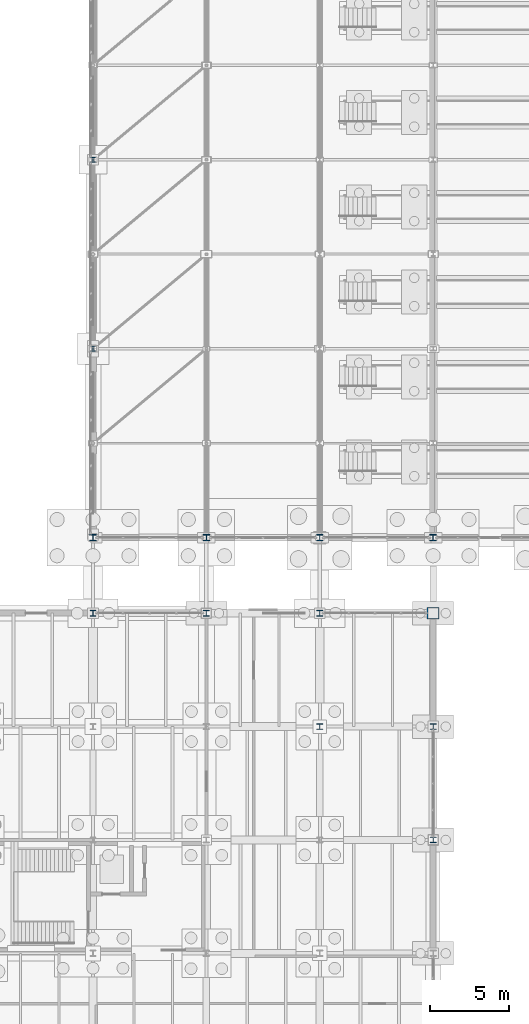
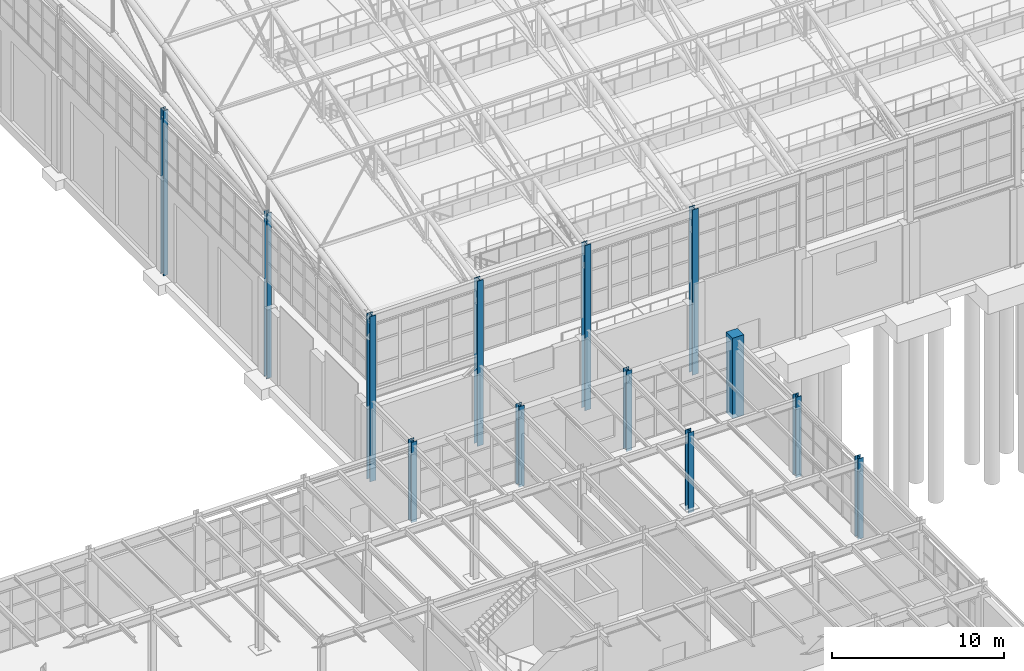
# One storey, part 23 of 293: 13 columns.
"""IFC4 building model written with IfcOpenShell, lengths in metres."""

from ifc_helpers import new_model, si_unit, direction, frame, origin, origin_2d, place, context, subcontext, project, spatial, rectangle, i_section, extrude, material, material_profile, profile_set, type_object, element, save


model = new_model("IFC4")

# Units and contexts
model_context = context("Model", 3, precision=1e-05, world=origin(), true_north=direction((0.0, 1.0)))
body_context = subcontext(model_context, "Body", "Model", "MODEL_VIEW")
ifc_project = project(units=[si_unit("LENGTHUNIT", "METRE"), si_unit("AREAUNIT", "SQUARE_METRE"), si_unit("VOLUMEUNIT", "CUBIC_METRE"), si_unit("PLANEANGLEUNIT", "RADIAN"), si_unit("MASSUNIT", "GRAM", prefix="KILO")], contexts=[model_context])

# Site, building, storey
site_placement = place(None, origin())
site = spatial("IfcSite", under=ifc_project, at=site_placement, CompositionType="ELEMENT")
building_placement = place(site_placement, origin())
building = spatial("IfcBuilding", under=site, at=building_placement, Name="Kemerveld Promenade Tramway Depot", CompositionType="ELEMENT")
storey_placement = place(building_placement, origin())
storey = spatial("IfcBuildingStorey", under=building, at=storey_placement, Name="L00", CompositionType="ELEMENT", Elevation=0.0)

# Columns
ifc_material_1 = material(Name="Concrete C40/50", Category="concrete")
ifc_material_profile_1 = material_profile(ifc_material_1, rectangle(XDim=0.75, YDim=0.75, at=origin_2d()), Name="RC-COL-750x750")
ifc_profile_set_1 = profile_set([ifc_material_profile_1], Name="Concrete C40/50")
column_type_1 = type_object("IfcColumnType", Name="COL-RC2", PredefinedType="COLUMN", material=ifc_profile_set_1)
column_placement = place(storey_placement, frame((57.60009765625, 79.199951171875, -0.300048828125), z_axis=(0.0, 0.0, 1.0), x_axis=(1.0, 0.0, 0.0)))
element("IfcColumn", 1, at=column_placement, inside=storey, type_object=column_type_1, Name="COL-L00-09-M", PredefinedType="COLUMN", context=body_context, shape_type="SweptSolid", body=[
    extrude(rectangle(XDim=0.75, YDim=0.75, at=origin_2d()), origin(), (0.0, 0.0, 1.0), 5.699951171875),
])
ifc_material_2 = material(Name="Steel S355", Category="steel")
ifc_material_profile_2 = material_profile(ifc_material_2, i_section(OverallWidth=0.403076171875, OverallDepth=0.406494140625, WebThickness=0.026611328125, FlangeThickness=0.04296875, FilletRadius=0.01513671875, at=origin_2d()), Name="356x406x340 UC")
ifc_profile_set_2 = profile_set([ifc_material_profile_2], Name="Steel S355")
column_type_2 = type_object("IfcColumnType", Name="COL-S01", PredefinedType="COLUMN", material=ifc_profile_set_2)
for number, where, z_axis, x_axis, name in (
    (2, (36.0, 84.0, -0.300048828125), (0.0, 0.0, 1.0), (1.0, 0.0, 0.0), "COL-L00-06-N"),
    (3, (43.199951171875, 84.0, -0.300048828125), (0.0, 0.0, 1.0), (1.0, 0.0, 0.0), "COL-L00-07-N"),
    (4, (50.39990234375, 84.0, -0.300048828125), (0.0, 0.0, 1.0), (1.0, 0.0, 0.0), "COL-L00-08-N"),
    (5, (57.60009765625, 84.0, -0.300048828125), (0.0, 0.0, 1.0), (1.0, 0.0, 0.0), "COL-L00-09-N"),
):
    element("IfcColumn", number, at=place(storey_placement, frame(where, z_axis=z_axis, x_axis=x_axis)), inside=storey, type_object=column_type_2, Name=name, PredefinedType="COLUMN", context=body_context, shape_type="SweptSolid", body=[
        extrude(i_section(OverallWidth=0.403076171875, OverallDepth=0.406494140625, WebThickness=0.026611328125, FlangeThickness=0.04296875, FilletRadius=0.01513671875, at=origin_2d()), origin(), (0.0, 0.0, 1.0), 11.699951171875),
    ])
ifc_material_profile_3 = material_profile(ifc_material_2, i_section(OverallWidth=0.37255859375, OverallDepth=0.3681640625, WebThickness=0.014404296875, FlangeThickness=0.023681640625, FilletRadius=0.01513671875, at=origin_2d()), Name="356x368x177 UC")
ifc_profile_set_3 = profile_set([ifc_material_profile_3], Name="Steel S355")
column_type_3 = type_object("IfcColumnType", Name="COL-S03", PredefinedType="COLUMN", material=ifc_profile_set_3)
for number, where, z_axis, x_axis, name in (
    (6, (36.0, 79.199951171875, -0.300048828125), (0.0, 0.0, 1.0), (1.0, 0.0, 0.0), "COL-L00-06-M"),
    (7, (43.199951171875, 79.199951171875, -0.300048828125), (0.0, 0.0, 1.0), (1.0, 0.0, 0.0), "COL-L00-07-M"),
    (8, (50.39990234375, 72.0, -0.300048828125), (0.0, 0.0, 1.0), (1.0, 0.0, 0.0), "COL-L00-08-L"),
    (9, (50.39990234375, 79.199951171875, -0.300048828125), (0.0, 0.0, 1.0), (1.0, 0.0, 0.0), "COL-L00-08-M"),
    (10, (57.60009765625, 64.800048828125, -0.300048828125), (0.0, 0.0, 1.0), (1.0, 0.0, 0.0), "COL-L00-09-K"),
    (11, (57.60009765625, 72.0, -0.300048828125), (0.0, 0.0, 1.0), (1.0, 0.0, 0.0), "COL-L00-09-L"),
):
    element("IfcColumn", number, at=place(storey_placement, frame(where, z_axis=z_axis, x_axis=x_axis)), inside=storey, type_object=column_type_3, Name=name, PredefinedType="COLUMN", context=body_context, shape_type="SweptSolid", body=[
        extrude(i_section(OverallWidth=0.37255859375, OverallDepth=0.3681640625, WebThickness=0.014404296875, FlangeThickness=0.023681640625, FilletRadius=0.01513671875, at=origin_2d()), origin(), (0.0, 0.0, 1.0), 5.699951171875),
    ])
ifc_material_profile_4 = material_profile(ifc_material_2, i_section(OverallWidth=0.311279296875, OverallDepth=0.3271484375, WebThickness=0.015869140625, FlangeThickness=0.02490234375, FilletRadius=0.01513671875, at=origin_2d()), Name="305x305x158 UC")
ifc_profile_set_4 = profile_set([ifc_material_profile_4], Name="Steel S355")
column_type_4 = type_object("IfcColumnType", Name="COL-S05", PredefinedType="COLUMN", material=ifc_profile_set_4)
for number, where, z_axis, x_axis, name in (
    (12, (36.0, 96.0, -0.300048828125), (0.0, 0.0, 1.0), (1.0, 0.0, 0.0), "COL-L00-06-P"),
    (13, (36.0, 108.0, -0.300048828125), (0.0, 0.0, 1.0), (1.0, 0.0, 0.0), "COL-L00-06-Q"),
):
    element("IfcColumn", number, at=place(storey_placement, frame(where, z_axis=z_axis, x_axis=x_axis)), inside=storey, type_object=column_type_4, Name=name, PredefinedType="COLUMN", context=body_context, shape_type="SweptSolid", body=[
        extrude(i_section(OverallWidth=0.311279296875, OverallDepth=0.3271484375, WebThickness=0.015869140625, FlangeThickness=0.02490234375, FilletRadius=0.01513671875, at=origin_2d()), origin(), (0.0, 0.0, 1.0), 11.699951171875),
    ])

save(model, "model.ifc")
